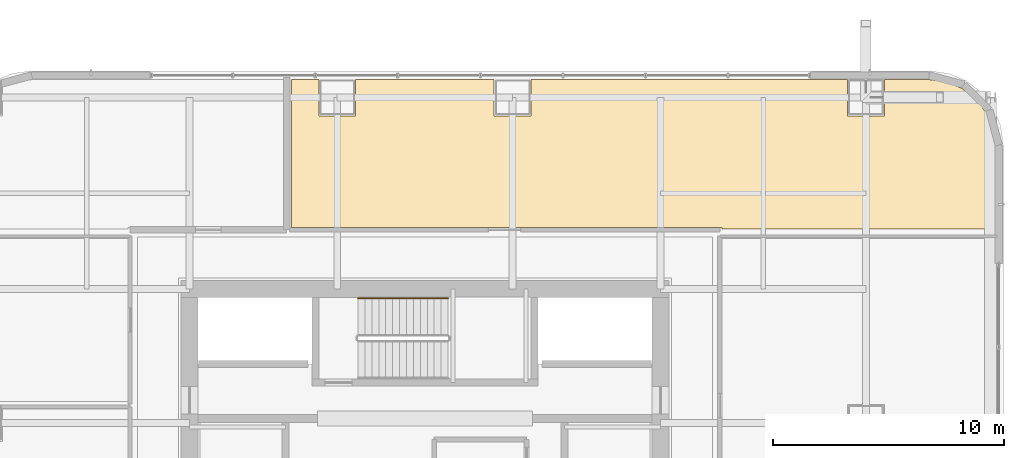
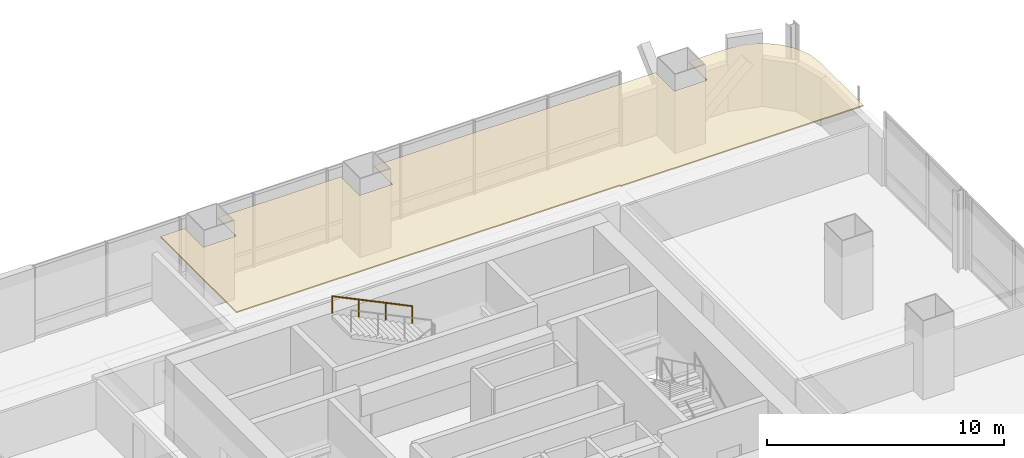
# One storey, part 41 of 42: 1 covering, 1 railing.
"""IFC4 building model written with IfcOpenShell, lengths in metres."""

from ifc_helpers import new_model, si_unit, direction, frame, origin, origin_2d, place, context, subcontext, project, spatial, polyline, circle, outline, extrude, material, layer, layer_set, type_object, element, save


model = new_model("IFC4")

# Units and contexts
model_context = context("Model", 3, precision=1e-05, world=origin(), true_north=direction((0.0, 1.0)))
body_context = subcontext(model_context, "Body", "Model", "MODEL_VIEW")
ifc_project = project(units=[si_unit("LENGTHUNIT", "METRE"), si_unit("AREAUNIT", "SQUARE_METRE"), si_unit("VOLUMEUNIT", "CUBIC_METRE"), si_unit("PLANEANGLEUNIT", "RADIAN"), si_unit("MASSUNIT", "GRAM", prefix="KILO")], contexts=[model_context])

# Site, building, storey
site_placement = place(None, origin())
site = spatial("IfcSite", under=ifc_project, at=site_placement, CompositionType="ELEMENT")
building_placement = place(site_placement, origin())
building = spatial("IfcBuilding", under=site, at=building_placement, Name="Punatoya Terracotta Tower", CompositionType="ELEMENT")
storey_placement = place(building_placement, frame((0.0, 0.0, 88.949951171875)))
storey = spatial("IfcBuildingStorey", under=building, at=storey_placement, Name="L20", CompositionType="ELEMENT", Elevation=88.949951171875)

# Covering
ifc_material_1 = material(Name="Acoustic Mineral Fibre Ceiling")
ifc_layer = layer(ifc_material_1, 0.06005859375)
ifc_layer_set = layer_set([ifc_layer], Name="Acoustic Mineral Fibre Ceiling")
covering_type = type_object("IfcCoveringType", Name="COV-CEIL-60", PredefinedType="CEILING", material=ifc_layer_set)
covering_placement = place(storey_placement, frame((0.0, 0.0, 3.199951171875)))
element("IfcCovering", 1, at=covering_placement, inside=storey, type_object=covering_type, Name="L20 Seminar Discussion Room Acoustic Ceiling", PredefinedType="CEILING", context=body_context, shape_type="SweptSolid", body=[
    extrude(outline(polyline([(3.0, 18.27001953125), (-3.0, 18.27001953125), (-3.0, 16.699951171875), (-4.60009765625, 16.699951171875), (-4.60009765625, 18.27001953125), (-5.77392578125, 18.27001953125), (-5.77392578125, 11.8701171875), (12.8701171875, 11.8701171875), (12.8701171875, 11.81005859375), (24.669921875, 11.81005859375), (24.669921875, 15.425048828125), (24.57080078125, 16.178955078125), (24.289306640625, 16.8583984375), (23.841796875, 17.441650390625), (23.25830078125, 17.889404296875), (22.5791015625, 18.1708984375), (21.8251953125, 18.27001953125), (19.89990234375, 18.27001953125), (19.89990234375, 16.699951171875), (18.300048828125, 16.699951171875), (18.300048828125, 18.27001953125), (4.60009765625, 18.27001953125), (4.60009765625, 16.699951171875), (3.0, 16.699951171875), (3.0, 18.27001953125)])), origin(), (0.0, 0.0, 1.0), 0.06005859375),
])

# Railing
ifc_material_2 = material(Name="Steel S355", Category="steel")
railing_type = type_object("IfcRailingType", Name="RLG-HND-900", PredefinedType="HANDRAIL", material=ifc_material_2)
railing_placement = place(storey_placement, frame((1.0, 8.800048828125, 2.169677734375)))
element("IfcRailing", 2, at=railing_placement, inside=storey, type_object=railing_type, Name="L20 ST-3 stair handrail 2", PredefinedType="HANDRAIL", context=body_context, shape_type="SweptSolid", body=[
    extrude(circle(Radius=0.02392578125, at=origin_2d()), frame((0.0, 0.0, 0.8759765625), z_axis=(-0.900763166376, 0.0, 0.434310623978), x_axis=(0.0, -1.0, 0.0)), (0.0, 0.0, 1.0), 4.32958984375),
    extrude(circle(Radius=0.02099609375, at=origin_2d()), origin(), (0.0, 0.0, 1.0), 0.851806640625),
    extrude(circle(Radius=0.02099609375, at=origin_2d()), frame((-1.300048828125, 0.0, 0.626708984375)), (0.0, 0.0, 1.0), 0.851806640625),
    extrude(circle(Radius=0.02099609375, at=origin_2d()), frame((-2.599853515625, 0.0, 1.253662109375)), (0.0, 0.0, 1.0), 0.851806640625),
    extrude(circle(Radius=0.02099609375, at=origin_2d()), frame((-3.89990234375, 0.0, 1.88037109375)), (0.0, 0.0, 1.0), 0.851806640625),
])

save(model, "model.ifc")
